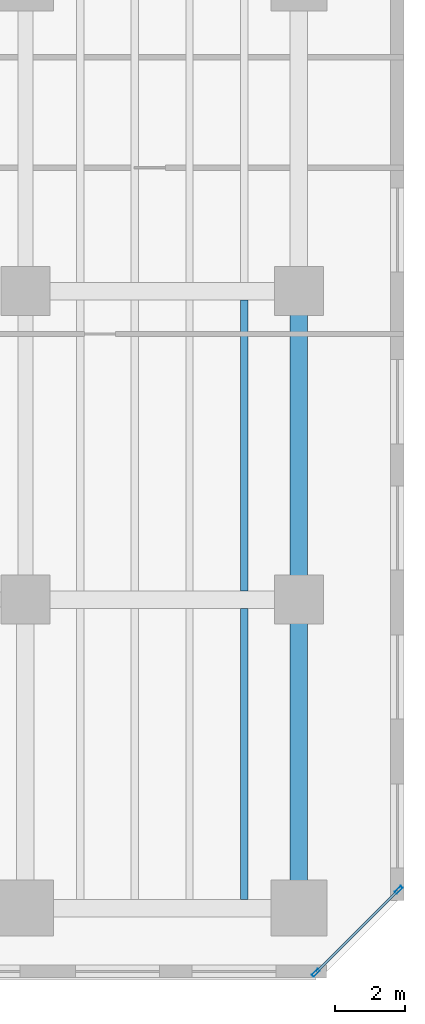
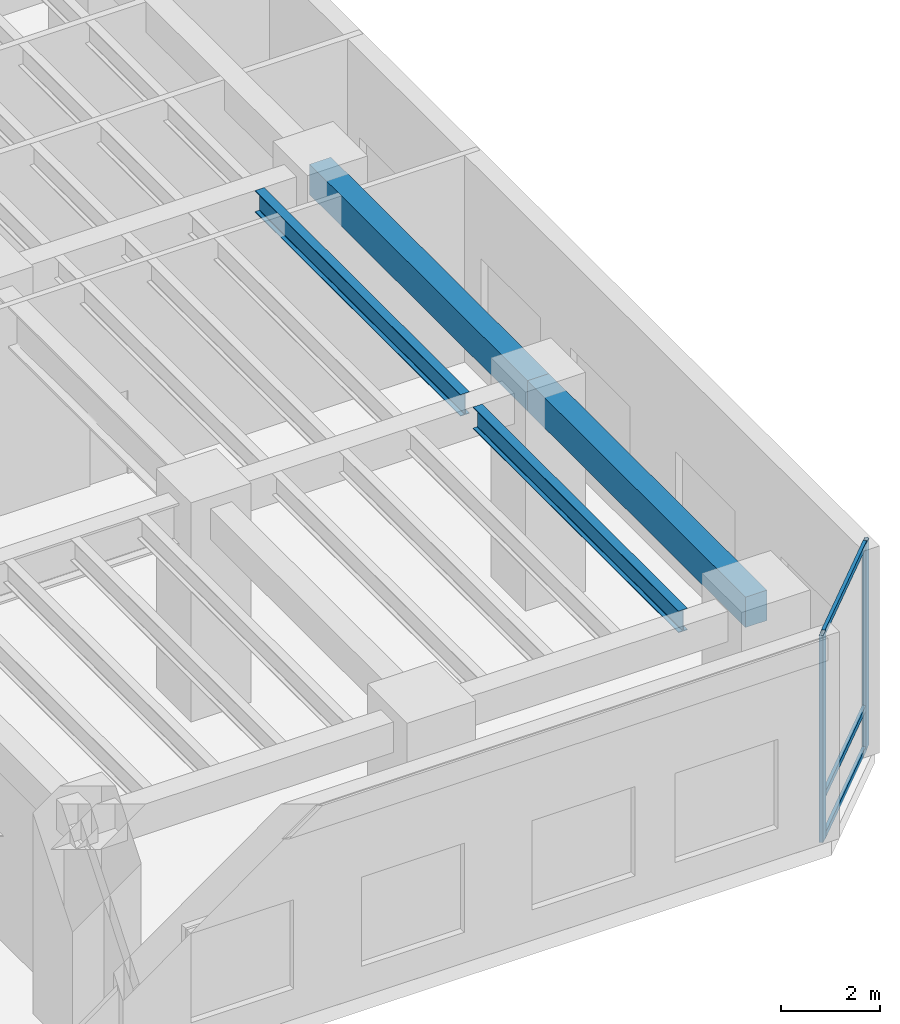
# One storey, part 6 of 21: 5 members, 4 beams, 1 element without a shape of its own.
"""IFC4 building model written with IfcOpenShell, lengths in metres."""

from ifc_helpers import new_model, si_unit, direction, frame, origin, origin_2d, place, context, subcontext, project, spatial, rectangle, hollow_rectangle, i_section, extrude, material, layer, layer_set, material_profile, profile_set, type_object, element, aggregate, save


model = new_model("IFC4")

# Units and contexts
model_context = context("Model", 3, precision=1e-05, world=origin(), true_north=direction((0.0, 1.0)))
body_context = subcontext(model_context, "Body", "Model", "MODEL_VIEW")
ifc_project = project(units=[si_unit("LENGTHUNIT", "METRE"), si_unit("AREAUNIT", "SQUARE_METRE"), si_unit("VOLUMEUNIT", "CUBIC_METRE"), si_unit("PLANEANGLEUNIT", "RADIAN"), si_unit("MASSUNIT", "GRAM", prefix="KILO")], contexts=[model_context])

# Site, building, storey
site_placement = place(None, origin())
site = spatial("IfcSite", under=ifc_project, at=site_placement, CompositionType="ELEMENT")
building_placement = place(site_placement, origin())
building = spatial("IfcBuilding", under=site, at=building_placement, Name="Kestravale Grand Hotel", CompositionType="ELEMENT")
storey_placement = place(building_placement, frame((0.0, 0.0, 10.39990234375)))
storey = spatial("IfcBuildingStorey", under=building, at=storey_placement, Name="L02", CompositionType="ELEMENT", Elevation=10.39990234375)

# Beams
ifc_material_1 = material(Name="Steel ASTM A992 Grade 50", Category="steel")
ifc_material_profile_1 = material_profile(ifc_material_1, i_section(OverallWidth=0.2099609375, OverallDepth=0.535888671875, WebThickness=0.010986328125, FlangeThickness=0.017333984375, FilletRadius=0.017578125, at=origin_2d()))
ifc_profile_set_1 = profile_set([ifc_material_profile_1], Name="Steel ASTM A992 Grade 50")
beam_type_1 = type_object("IfcBeamType", Name="B-FLR-JST21", PredefinedType="JOIST", material=ifc_profile_set_1)
for number, where, z_axis, x_axis, name in (
    (1, (76.43994140625, 2.64990234375, 4.83203125), (0.0, 1.0, 0.0), (-1.0, 0.0, 0.0), "L02 floor joist 11-12/B-C #4"),
    (2, (76.43994140625, 11.449951171875, 4.83203125), (0.0, 1.0, 0.0), (-1.0, 0.0, 0.0), "L02 floor joist 11-12/C-D #4"),
):
    element("IfcBeam", number, at=place(storey_placement, frame(where, z_axis=z_axis, x_axis=x_axis)), inside=storey, type_object=beam_type_1, Name=name, PredefinedType="JOIST", context=body_context, shape_type="SweptSolid", body=[
        extrude(i_section(OverallWidth=0.2099609375, OverallDepth=0.535888671875, WebThickness=0.010986328125, FlangeThickness=0.017333984375, FilletRadius=0.017578125, at=origin_2d()), origin(), (0.0, 0.0, 1.0), 8.300048828125),
    ])
ifc_material_2 = material(Name="Concrete f'c 45 MPa", Category="concrete")
ifc_material_profile_2 = material_profile(ifc_material_2, rectangle(XDim=0.5, YDim=0.75, at=origin_2d()))
ifc_profile_set_2 = profile_set([ifc_material_profile_2], Name="Concrete f'c 45 MPa")
beam_type_2 = type_object("IfcBeamType", Name="B-FLR-RC750", PredefinedType="SPANDREL", material=ifc_profile_set_2)
for number, where, z_axis, x_axis, name in (
    (3, (78.0, 2.39990234375, 4.72509765625), (0.0, 1.0, 0.0), (-1.0, 0.0, 0.0), "L02 spandrel 12:B-C"),
    (4, (78.0, 11.199951171875, 4.72509765625), (0.0, 1.0, 0.0), (-1.0, 0.0, 0.0), "L02 spandrel 12:C-D"),
):
    element("IfcBeam", number, at=place(storey_placement, frame(where, z_axis=z_axis, x_axis=x_axis)), inside=storey, type_object=beam_type_2, Name=name, PredefinedType="SPANDREL", context=body_context, shape_type="SweptSolid", body=[
        extrude(rectangle(XDim=0.5, YDim=0.75, at=origin_2d()), origin(), (0.0, 0.0, 1.0), 8.800048828125),
    ])

# Curtain wall, members
ifc_material_3 = material(Name="Thermally broken champagne-bronze aluminium and low-E glazing", Category="aluminium")
ifc_layer = layer(ifc_material_3, 0.239990234375)
ifc_layer_set = layer_set([ifc_layer], Name="CW-POD")
curtain_wall_type = type_object("IfcCurtainWallType", Name="CW-POD", PredefinedType="NOTDEFINED", material=ifc_layer_set)
curtain_wall_placement = place(storey_placement, origin())
curtain_wall = element("IfcCurtainWall", 5, at=curtain_wall_placement, inside=storey, type_object=curtain_wall_type, Name="L02 unitised curtain wall 2", PredefinedType="NOTDEFINED")
ifc_material_4 = material(Name="Aluminium 6063-T6 anodised", Category="aluminium")
ifc_material_profile_3 = material_profile(ifc_material_4, hollow_rectangle(XDim=0.0849609375, YDim=0.239990234375, WallThickness=0.00439453125, at=origin_2d()))
ifc_profile_set_3 = profile_set([ifc_material_profile_3], Name="Aluminium 6063-T6 anodised")
member_type_1 = type_object("IfcMemberType", Name="CW-MUL-240", PredefinedType="MULLION", material=ifc_profile_set_3)
member_1_placement = place(storey_placement, frame((78.4814453125, 0.55029296875, 0.0), z_axis=(0.0, 0.0, 1.0), x_axis=(-0.707106781187, 0.707106781187, 0.0)))
member_1 = element("IfcMember", 6, at=member_1_placement, type_object=member_type_1, Name="CW-POD mullion 1", PredefinedType="MULLION", context=body_context, shape_type="SweptSolid", body=[
    extrude(hollow_rectangle(XDim=0.0849609375, YDim=0.239990234375, WallThickness=0.00439453125, at=origin_2d()), origin(), (0.0, 0.0, 1.0), 5.10009765625),
])
member_2_placement = place(storey_placement, frame((80.849853515625, 2.91845703125, 0.0), z_axis=(0.0, 0.0, 1.0), x_axis=(-0.707106781187, 0.707106781187, 0.0)))
member_2 = element("IfcMember", 7, at=member_2_placement, type_object=member_type_1, Name="CW-POD mullion 2", PredefinedType="MULLION", context=body_context, shape_type="SweptSolid", body=[
    extrude(hollow_rectangle(XDim=0.0849609375, YDim=0.239990234375, WallThickness=0.00439453125, at=origin_2d()), origin(), (0.0, 0.0, 1.0), 5.10009765625),
])
ifc_material_5 = material(Name="Aluminium 6063-T6 anodised", Category="aluminium")
ifc_material_profile_4 = material_profile(ifc_material_5, hollow_rectangle(XDim=0.074951171875, YDim=0.139892578125, WallThickness=0.00341796875, at=origin_2d()))
ifc_profile_set_4 = profile_set([ifc_material_profile_4], Name="Aluminium 6063-T6 anodised")
member_type_2 = type_object("IfcMemberType", Name="CW-TRN-140", PredefinedType="USERDEFINED", material=ifc_profile_set_4)
member_3_placement = place(storey_placement, frame((78.51171875, 0.580322265625, 0.03759765625), z_axis=(0.707069380992, 0.707144179403, 0.0), x_axis=(-0.707144179403, 0.707069380992, 0.0)))
member_3 = element("IfcMember", 8, at=member_3_placement, type_object=member_type_2, Name="CW-POD transom 1.1", ObjectType="TRANSOM", PredefinedType="USERDEFINED", context=body_context, shape_type="SweptSolid", body=[
    extrude(hollow_rectangle(XDim=0.074951171875, YDim=0.139892578125, WallThickness=0.00341796875, at=origin_2d()), origin(), (0.0, 0.0, 1.0), 3.263916015625),
])
member_4_placement = place(storey_placement, frame((78.51171875, 0.580322265625, 1.050048828125), z_axis=(0.707069380992, 0.707144179403, 0.0), x_axis=(-0.707144179403, 0.707069380992, 0.0)))
member_4 = element("IfcMember", 9, at=member_4_placement, type_object=member_type_2, Name="CW-POD transom 1.2", ObjectType="TRANSOM", PredefinedType="USERDEFINED", context=body_context, shape_type="SweptSolid", body=[
    extrude(hollow_rectangle(XDim=0.074951171875, YDim=0.139892578125, WallThickness=0.00341796875, at=origin_2d()), origin(), (0.0, 0.0, 1.0), 3.263916015625),
])
member_5_placement = place(storey_placement, frame((78.51171875, 0.580322265625, 5.0625), z_axis=(0.707069380992, 0.707144179403, 0.0), x_axis=(-0.707144179403, 0.707069380992, 0.0)))
member_5 = element("IfcMember", 10, at=member_5_placement, type_object=member_type_2, Name="CW-POD transom 1.3", ObjectType="TRANSOM", PredefinedType="USERDEFINED", context=body_context, shape_type="SweptSolid", body=[
    extrude(hollow_rectangle(XDim=0.074951171875, YDim=0.139892578125, WallThickness=0.00341796875, at=origin_2d()), origin(), (0.0, 0.0, 1.0), 3.263916015625),
])
aggregate(curtain_wall, [member_1, member_2, member_3, member_4, member_5])

save(model, "model.ifc")
